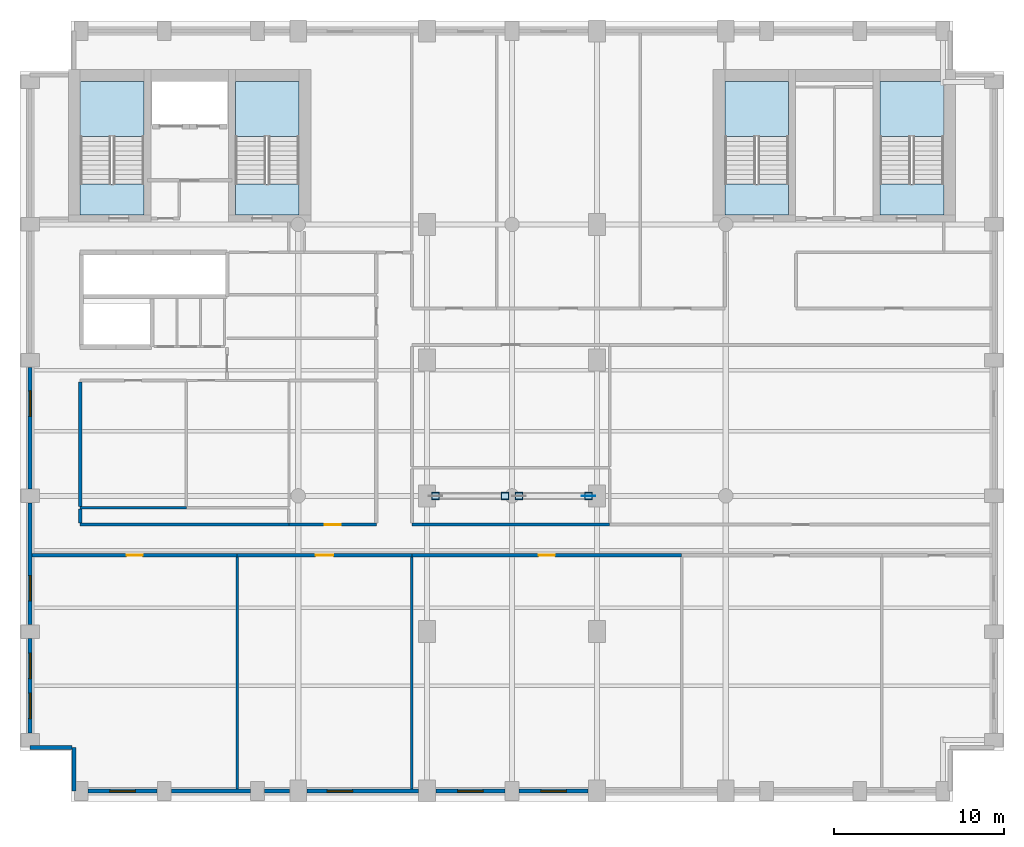
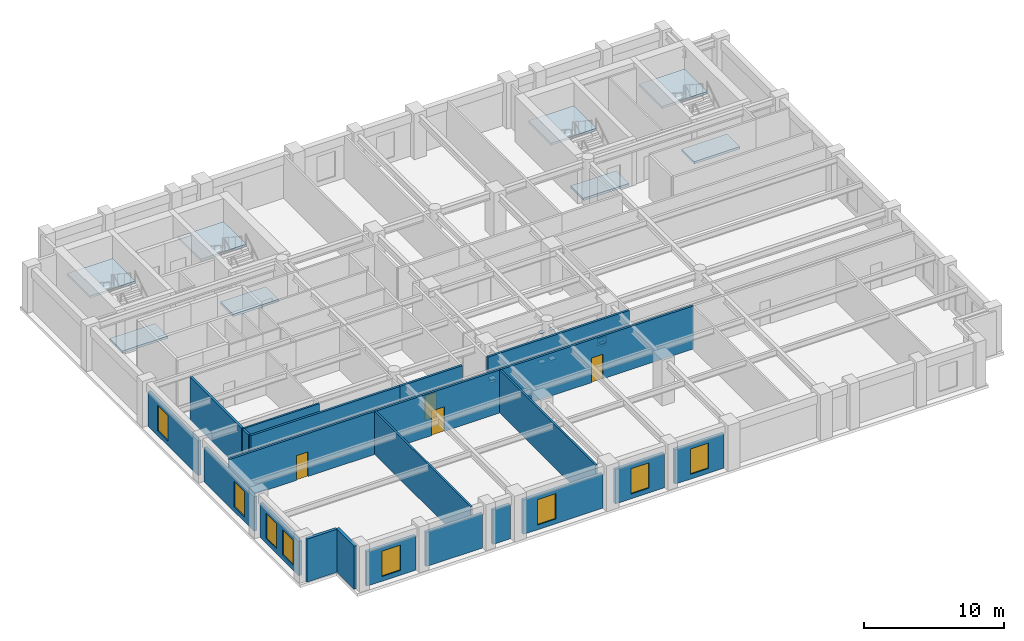
# One storey, part 5 of 11: 22 walls, 9 plates, 8 slabs, 8 windows, 4 doors, 12 openings, 4 elements without a shape of their own.
"""IFC4 building model written with IfcOpenShell, lengths in metres."""

from ifc_helpers import new_model, si_unit, direction, frame, frame_2d, origin, origin_2d, place, context, subcontext, project, spatial, polyline, rectangle, outline, extrude, material, layer, layer_set, type_object, element, fill, aggregate, save


model = new_model("IFC4")

# Units and contexts
model_context = context("Model", 3, precision=1e-05, world=origin(), true_north=direction((0.0, 1.0)))
body_context = subcontext(model_context, "Body", "Model", "MODEL_VIEW")
ifc_project = project(units=[si_unit("LENGTHUNIT", "METRE"), si_unit("AREAUNIT", "SQUARE_METRE"), si_unit("VOLUMEUNIT", "CUBIC_METRE"), si_unit("PLANEANGLEUNIT", "RADIAN"), si_unit("MASSUNIT", "GRAM", prefix="KILO")], contexts=[model_context])

# Site, building, storey
site_placement = place(None, origin())
site = spatial("IfcSite", under=ifc_project, at=site_placement, CompositionType="ELEMENT")
building_placement = place(site_placement, origin())
building = spatial("IfcBuilding", under=site, at=building_placement, Name="Sulina Concourse Tower", CompositionType="ELEMENT")
storey_placement = place(building_placement, frame((0.0, 0.0, 218.60009765625)))
storey = spatial("IfcBuildingStorey", under=building, at=storey_placement, Name="L53", CompositionType="ELEMENT", Elevation=218.60009765625)

# Plates
ifc_material_1 = material(Name="Steel S355", Category="steel")
ifc_layer_1 = layer(ifc_material_1, 0.028076171875)
ifc_layer_set_1 = layer_set([ifc_layer_1], Name="Steel S355")
plate_type_1 = type_object("IfcPlateType", Name="Medium Hollow Section End-Cap Plate 28mm", PredefinedType="USERDEFINED", material=ifc_layer_set_1)
for number, where, z_axis, x_axis, name in (
    (1, (24.489990234375, 18.0, 0.35595703125), (0.0, 0.0, 1.0), (1.0, 0.0, 0.0), "UBT-CH-1-L53 end cap plate 1"),
    (2, (28.5849609375, 18.0, 0.35595703125), (0.0, 0.0, 1.0), (1.0, 0.0, 0.0), "UBT-CH-1-L53 end cap plate 2"),
    (3, (29.4150390625, 18.0, 0.35595703125), (0.0, 0.0, 1.0), (1.0, 0.0, 0.0), "UBT-CH-2-L53 end cap plate 1"),
    (4, (33.510009765625, 18.0, 0.35595703125), (0.0, 0.0, 1.0), (1.0, 0.0, 0.0), "UBT-CH-2-L53 end cap plate 2"),
):
    element("IfcPlate", number, at=place(storey_placement, frame(where, z_axis=z_axis, x_axis=x_axis)), inside=storey, type_object=plate_type_1, Name=name, ObjectType="CAP_PLATE", PredefinedType="USERDEFINED", context=body_context, shape_type="SweptSolid", body=[
        extrude(rectangle(XDim=0.4599609375, YDim=0.4599609375, at=origin_2d()), origin(), (0.0, 0.0, 1.0), 0.028076171875),
    ])

# Slabs
ifc_material_2 = material(Name="Concrete C50/60", Category="concrete")
ifc_layer_2 = layer(ifc_material_2, 0.199951171875)
ifc_layer_set_2 = layer_set([ifc_layer_2], Name="Concrete C50/60")
slab_type = type_object("IfcSlabType", Name="Primary Core Stair Landing Slab 200mm", PredefinedType="LANDING", material=ifc_layer_set_2)
slab_1_placement = place(storey_placement, frame((0.0, 0.0, -0.2001953125)))
element("IfcSlab", 5, at=slab_1_placement, inside=storey, type_object=slab_type, Name="L53 ST-1 floor landing slab", PredefinedType="LANDING", context=body_context, shape_type="SweptSolid", body=[
    extrude(outline(polyline([(7.31005859375, 34.550048828125), (7.31005859375, 36.375), (3.550048828125, 36.375), (3.550048828125, 34.550048828125), (7.31005859375, 34.550048828125)])), origin(), (0.0, 0.0, 1.0), 0.2001953125),
])
slab_2_placement = place(storey_placement, frame((0.0, 0.0, -0.2001953125)))
element("IfcSlab", 6, at=slab_2_placement, inside=storey, type_object=slab_type, Name="L53 ST-2 floor landing slab", PredefinedType="LANDING", context=body_context, shape_type="SweptSolid", body=[
    extrude(outline(polyline([(16.449951171875, 34.550048828125), (16.449951171875, 36.375), (12.68994140625, 36.375), (12.68994140625, 34.550048828125), (16.449951171875, 34.550048828125)])), origin(), (0.0, 0.0, 1.0), 0.2001953125),
])
slab_3_placement = place(storey_placement, frame((0.0, 0.0, -0.2001953125)))
element("IfcSlab", 7, at=slab_3_placement, inside=storey, type_object=slab_type, Name="L53 ST-3 floor landing slab", PredefinedType="LANDING", context=body_context, shape_type="SweptSolid", body=[
    extrude(outline(polyline([(45.31005859375, 34.550048828125), (45.31005859375, 36.375), (41.550048828125, 36.375), (41.550048828125, 34.550048828125), (45.31005859375, 34.550048828125)])), origin(), (0.0, 0.0, 1.0), 0.2001953125),
])
slab_4_placement = place(storey_placement, frame((0.0, 0.0, -0.2001953125)))
element("IfcSlab", 8, at=slab_4_placement, inside=storey, type_object=slab_type, Name="L53 ST-4 floor landing slab", PredefinedType="LANDING", context=body_context, shape_type="SweptSolid", body=[
    extrude(outline(polyline([(54.449951171875, 34.550048828125), (54.449951171875, 36.375), (50.68994140625, 36.375), (50.68994140625, 34.550048828125), (54.449951171875, 34.550048828125)])), origin(), (0.0, 0.0, 1.0), 0.2001953125),
])

# Stair, slab
ifc_material_3 = material(Name="Concrete C50/60", Category="concrete")
stair_type_1 = type_object("IfcStairType", Name="Primary Core Dog-Leg Exit Stair 1800mm", PredefinedType="HALF_TURN_STAIR", material=ifc_material_3)
stair_1_placement = place(storey_placement, origin())
stair_1 = element("IfcStair", 9, at=stair_1_placement, inside=storey, type_object=stair_type_1, Name="L53 ST-1", PredefinedType="HALF_TURN_STAIR")
slab_5_placement = place(storey_placement, frame((0.0, 0.0, 1.7998046875)))
slab_5 = element("IfcSlab", 10, at=slab_5_placement, type_object=slab_type, Name="ST-1 landing 1", PredefinedType="LANDING", context=body_context, shape_type="SweptSolid", body=[
    extrude(outline(polyline([(7.304931640625, 39.175048828125), (7.304931640625, 42.425048828125), (3.554931640625, 42.425048828125), (3.554931640625, 39.175048828125), (7.304931640625, 39.175048828125)])), origin(), (0.0, 0.0, 1.0), 0.2001953125),
])
aggregate(stair_1, [slab_5])

stair_2_placement = place(storey_placement, origin())
stair_2 = element("IfcStair", 11, at=stair_2_placement, inside=storey, type_object=stair_type_1, Name="L53 ST-2", PredefinedType="HALF_TURN_STAIR")
slab_6_placement = place(storey_placement, frame((0.0, 0.0, 1.7998046875)))
slab_6 = element("IfcSlab", 12, at=slab_6_placement, type_object=slab_type, Name="ST-2 landing 1", PredefinedType="LANDING", context=body_context, shape_type="SweptSolid", body=[
    extrude(outline(polyline([(16.445068359375, 39.175048828125), (16.445068359375, 42.425048828125), (12.695068359375, 42.425048828125), (12.695068359375, 39.175048828125), (16.445068359375, 39.175048828125)])), origin(), (0.0, 0.0, 1.0), 0.2001953125),
])
aggregate(stair_2, [slab_6])

ifc_material_4 = material(Name="Concrete C50/60", Category="concrete")
stair_type_2 = type_object("IfcStairType", Name="Portal & Podium Core Exit Stair 1820mm", PredefinedType="HALF_TURN_STAIR", material=ifc_material_4)
stair_3_placement = place(storey_placement, origin())
stair_3 = element("IfcStair", 13, at=stair_3_placement, inside=storey, type_object=stair_type_2, Name="L53 ST-3", PredefinedType="HALF_TURN_STAIR")
slab_7_placement = place(storey_placement, frame((0.0, 0.0, 1.7998046875)))
slab_7 = element("IfcSlab", 14, at=slab_7_placement, type_object=slab_type, Name="ST-3 landing 1", PredefinedType="LANDING", context=body_context, shape_type="SweptSolid", body=[
    extrude(outline(polyline([(45.304931640625, 39.175048828125), (45.304931640625, 42.425048828125), (41.554931640625, 42.425048828125), (41.554931640625, 39.175048828125), (45.304931640625, 39.175048828125)])), origin(), (0.0, 0.0, 1.0), 0.2001953125),
])
aggregate(stair_3, [slab_7])

stair_4_placement = place(storey_placement, origin())
stair_4 = element("IfcStair", 15, at=stair_4_placement, inside=storey, type_object=stair_type_2, Name="L53 ST-4", PredefinedType="HALF_TURN_STAIR")
slab_8_placement = place(storey_placement, frame((0.0, 0.0, 1.7998046875)))
slab_8 = element("IfcSlab", 16, at=slab_8_placement, type_object=slab_type, Name="ST-4 landing 1", PredefinedType="LANDING", context=body_context, shape_type="SweptSolid", body=[
    extrude(outline(polyline([(54.445068359375, 39.175048828125), (54.445068359375, 42.425048828125), (50.695068359375, 42.425048828125), (50.695068359375, 39.175048828125), (54.445068359375, 39.175048828125)])), origin(), (0.0, 0.0, 1.0), 0.2001953125),
])
aggregate(stair_4, [slab_8])

# Plates
ifc_material_5 = material(Name="Steel S355", Category="steel")
ifc_layer_3 = layer(ifc_material_5, 0.0400390625)
ifc_layer_set_3 = layer_set([ifc_layer_3], Name="Steel S355")
plate_type_2 = type_object("IfcPlateType", Name="Upper Bridge Node Gusset Plate 40mm", PredefinedType="USERDEFINED", material=ifc_layer_set_3)
plate_placement = place(storey_placement, frame((33.510009765625, 18.0, 0.094970703125), z_axis=(0.0, 0.0, 1.0), x_axis=(1.0, 0.0, 0.0)))
element("IfcPlate", 17, at=plate_placement, inside=storey, type_object=plate_type_2, Name="UBT-DG-2-L53 node gusset plate", ObjectType="GUSSET_PLATE", PredefinedType="USERDEFINED", context=body_context, shape_type="SweptSolid", body=[
    extrude(rectangle(XDim=0.800048828125, YDim=0.0400390625, at=origin_2d()), origin(), (0.0, 0.0, 1.0), 0.64990234375),
])
ifc_material_6 = material(Name="Steel S355", Category="steel")
ifc_layer_4 = layer(ifc_material_6, 0.02001953125)
ifc_layer_set_4 = layer_set([ifc_layer_4], Name="Steel S355")
plate_type_3 = type_object("IfcPlateType", Name="Upper Hollow Brace End-Cap Plate 20mm", PredefinedType="USERDEFINED", material=ifc_layer_set_4)
for number, where, z_axis, x_axis, name in (
    (18, (24.489990234375, 18.0, 0.10986328125), (0.0, 0.0, 1.0), (1.0, 0.0, 0.0), "UBT-DG-1-L53 end cap plate 1"),
    (19, (28.5849609375, 18.0, 2.949951171875), (0.0, 0.0, 1.0), (1.0, 0.0, 0.0), "UBT-DG-1-L53 end cap plate 2"),
    (20, (33.510009765625, 18.0, 0.10986328125), (0.0, 0.0, 1.0), (1.0, 0.0, 0.0), "UBT-DG-2-L53 end cap plate 1"),
    (21, (29.4150390625, 18.0, 2.949951171875), (0.0, 0.0, 1.0), (1.0, 0.0, 0.0), "UBT-DG-2-L53 end cap plate 2"),
):
    element("IfcPlate", number, at=place(storey_placement, frame(where, z_axis=z_axis, x_axis=x_axis)), inside=storey, type_object=plate_type_3, Name=name, ObjectType="CAP_PLATE", PredefinedType="USERDEFINED", context=body_context, shape_type="SweptSolid", body=[
        extrude(rectangle(XDim=0.409912109375, YDim=0.360107421875, at=origin_2d()), origin(), (0.0, 0.0, 1.0), 0.02001953125),
    ])

# Wall, opening, window
ifc_material_7 = material(Name="Precast concrete C50/60", Category="concrete")
ifc_layer_5 = layer(ifc_material_7, 0.239990234375)
ifc_layer_set_5 = layer_set([ifc_layer_5], Name="Precast concrete C50/60")
wall_type_1 = type_object("IfcWallType", Name="Crown Precast Masonry-Frame Facade Wall 240mm", PredefinedType="SOLIDWALL", material=ifc_layer_set_5)
wall_1_placement = place(storey_placement, frame((8.080078125, 0.60009765625, 0.0), z_axis=(0.0, 0.0, 1.0), x_axis=(-1.0, 0.0, 0.0)))
wall_1 = element("IfcWall", 22, at=wall_1_placement, inside=storey, type_object=wall_type_1, Name="L53 exterior precast wall S1", PredefinedType="SOLIDWALL", context=body_context, shape_type="SweptSolid", body=[
    extrude(rectangle(XDim=4.06005859375, YDim=0.239990234375, at=frame_2d((2.030029296875, 0.0))), origin(), (0.0, 0.0, 1.0), 3.0),
])
opening_1_placement = place(wall_1_placement, frame((1.280029296875, 0.0, 0.419921875)))
opening_1 = element("IfcOpeningElement", 23, at=opening_1_placement, cuts=wall_1, Name="Opening WN-71", PredefinedType="OPENING", context=body_context, shape_type="SweptSolid", body=[
    extrude(rectangle(XDim=1.5, YDim=2.199951171875, at=frame_2d((0.75, 1.10009765625))), frame((0.0, 0.1298828125, 0.0), z_axis=(0.0, -1.0, 0.0), x_axis=(1.0, 0.0, 0.0)), (0.0, 0.0, 1.0), 0.260009765625),
])
ifc_material_8 = material(Name="Low-E solar double glazing in bronze aluminium", Category="aluminium")
window_type = type_object("IfcWindowType", Name="Punched Masonry-Frame Window 1500x2200", PartitioningType="SINGLE_PANEL", PredefinedType="WINDOW", material=ifc_material_8)
window_1_placement = place(opening_1_placement, origin())
window_1 = element("IfcWindow", 24, at=window_1_placement, inside=storey, type_object=window_type, Name="L53 punched window S1-1", OverallHeight=2.199951171875, OverallWidth=1.5, PartitioningType="SINGLE_PANEL", PredefinedType="WINDOW", context=body_context, shape_type="SweptSolid", body=[
    extrude(rectangle(XDim=1.5, YDim=2.199951171875, at=frame_2d((0.75, 1.10009765625))), frame((0.0, 0.030029296875, 0.0), z_axis=(0.0, -1.0, 0.0), x_axis=(1.0, 0.0, 0.0)), (0.0, 0.0, 1.0), 0.06005859375),
])
fill(opening_1, window_1)

# Walls
wall_2_placement = place(storey_placement, frame((13.580078125, 0.60009765625, 0.0), z_axis=(0.0, 0.0, 1.0), x_axis=(-1.0, 0.0, 0.0)))
element("IfcWall", 25, at=wall_2_placement, inside=storey, type_object=wall_type_1, Name="L53 exterior precast wall S2", PredefinedType="SOLIDWALL", context=body_context, shape_type="SweptSolid", body=[
    extrude(rectangle(XDim=4.66015625, YDim=0.239990234375, at=frame_2d((2.330078125, 0.0))), origin(), (0.0, 0.0, 1.0), 3.0),
])
wall_3_placement = place(storey_placement, frame((15.8798828125, 0.60009765625, 0.0), z_axis=(0.0, 0.0, 1.0), x_axis=(-1.0, 0.0, 0.0)))
element("IfcWall", 26, at=wall_3_placement, inside=storey, type_object=wall_type_1, Name="L53 exterior precast wall S3", PredefinedType="SOLIDWALL", context=body_context, shape_type="SweptSolid", body=[
    extrude(rectangle(XDim=1.4599609375, YDim=0.239990234375, at=frame_2d((0.72998046875, 0.0))), origin(), (0.0, 0.0, 1.0), 3.0),
])

# Wall, opening, window
wall_4_placement = place(storey_placement, frame((23.47998046875, 0.60009765625, 0.0), z_axis=(0.0, 0.0, 1.0), x_axis=(-1.0, 0.0, 0.0)))
wall_4 = element("IfcWall", 27, at=wall_4_placement, inside=storey, type_object=wall_type_1, Name="L53 exterior precast wall S4", PredefinedType="SOLIDWALL", context=body_context, shape_type="SweptSolid", body=[
    extrude(rectangle(XDim=6.56005859375, YDim=0.239990234375, at=frame_2d((3.280029296875, 0.0))), origin(), (0.0, 0.0, 1.0), 3.0),
])
opening_2_placement = place(wall_4_placement, frame((3.873291015625, 0.0, 0.419921875)))
opening_2 = element("IfcOpeningElement", 28, at=opening_2_placement, cuts=wall_4, Name="Opening WN-71", PredefinedType="OPENING", context=body_context, shape_type="SweptSolid", body=[
    extrude(rectangle(XDim=1.5, YDim=2.199951171875, at=frame_2d((0.75, 1.10009765625))), frame((0.0, 0.1298828125, 0.0), z_axis=(0.0, -1.0, 0.0), x_axis=(1.0, 0.0, 0.0)), (0.0, 0.0, 1.0), 0.260009765625),
])
window_2_placement = place(opening_2_placement, origin())
window_2 = element("IfcWindow", 29, at=window_2_placement, inside=storey, type_object=window_type, Name="L53 punched window S4-1", OverallHeight=2.199951171875, OverallWidth=1.5, PartitioningType="SINGLE_PANEL", PredefinedType="WINDOW", context=body_context, shape_type="SweptSolid", body=[
    extrude(rectangle(XDim=1.5, YDim=2.199951171875, at=frame_2d((0.75, 1.10009765625))), frame((0.0, 0.030029296875, 0.0), z_axis=(0.0, -1.0, 0.0), x_axis=(1.0, 0.0, 0.0)), (0.0, 0.0, 1.0), 0.06005859375),
])
fill(opening_2, window_2)

wall_5_placement = place(storey_placement, frame((28.580078125, 0.60009765625, 0.0), z_axis=(0.0, 0.0, 1.0), x_axis=(-1.0, 0.0, 0.0)))
wall_5 = element("IfcWall", 30, at=wall_5_placement, inside=storey, type_object=wall_type_1, Name="L53 exterior precast wall S5", PredefinedType="SOLIDWALL", context=body_context, shape_type="SweptSolid", body=[
    extrude(rectangle(XDim=4.06005859375, YDim=0.239990234375, at=frame_2d((2.030029296875, 0.0))), origin(), (0.0, 0.0, 1.0), 3.0),
])
opening_3_placement = place(wall_5_placement, frame((1.280029296875, 0.0, 0.419921875)))
opening_3 = element("IfcOpeningElement", 31, at=opening_3_placement, cuts=wall_5, Name="Opening WN-71", PredefinedType="OPENING", context=body_context, shape_type="SweptSolid", body=[
    extrude(rectangle(XDim=1.5, YDim=2.199951171875, at=frame_2d((0.75, 1.10009765625))), frame((0.0, 0.1298828125, 0.0), z_axis=(0.0, -1.0, 0.0), x_axis=(1.0, 0.0, 0.0)), (0.0, 0.0, 1.0), 0.260009765625),
])
window_3_placement = place(opening_3_placement, origin())
window_3 = element("IfcWindow", 32, at=window_3_placement, inside=storey, type_object=window_type, Name="L53 punched window S5-1", OverallHeight=2.199951171875, OverallWidth=1.5, PartitioningType="SINGLE_PANEL", PredefinedType="WINDOW", context=body_context, shape_type="SweptSolid", body=[
    extrude(rectangle(XDim=1.5, YDim=2.199951171875, at=frame_2d((0.75, 1.10009765625))), frame((0.0, 0.030029296875, 0.0), z_axis=(0.0, -1.0, 0.0), x_axis=(1.0, 0.0, 0.0)), (0.0, 0.0, 1.0), 0.06005859375),
])
fill(opening_3, window_3)

wall_6_placement = place(storey_placement, frame((33.47998046875, 0.60009765625, 0.0), z_axis=(0.0, 0.0, 1.0), x_axis=(-1.0, 0.0, 0.0)))
wall_6 = element("IfcWall", 33, at=wall_6_placement, inside=storey, type_object=wall_type_1, Name="L53 exterior precast wall S6", PredefinedType="SOLIDWALL", context=body_context, shape_type="SweptSolid", body=[
    extrude(rectangle(XDim=4.06005859375, YDim=0.239990234375, at=frame_2d((2.030029296875, 0.0))), origin(), (0.0, 0.0, 1.0), 3.0),
])
opening_4_placement = place(wall_6_placement, frame((1.280029296875, 0.0, 0.419921875)))
opening_4 = element("IfcOpeningElement", 34, at=opening_4_placement, cuts=wall_6, Name="Opening WN-71", PredefinedType="OPENING", context=body_context, shape_type="SweptSolid", body=[
    extrude(rectangle(XDim=1.5, YDim=2.199951171875, at=frame_2d((0.75, 1.10009765625))), frame((0.0, 0.1298828125, 0.0), z_axis=(0.0, -1.0, 0.0), x_axis=(1.0, 0.0, 0.0)), (0.0, 0.0, 1.0), 0.260009765625),
])
window_4_placement = place(opening_4_placement, origin())
window_4 = element("IfcWindow", 35, at=window_4_placement, inside=storey, type_object=window_type, Name="L53 punched window S6-1", OverallHeight=2.199951171875, OverallWidth=1.5, PartitioningType="SINGLE_PANEL", PredefinedType="WINDOW", context=body_context, shape_type="SweptSolid", body=[
    extrude(rectangle(XDim=1.5, YDim=2.199951171875, at=frame_2d((0.75, 1.10009765625))), frame((0.0, 0.030029296875, 0.0), z_axis=(0.0, -1.0, 0.0), x_axis=(1.0, 0.0, 0.0)), (0.0, 0.0, 1.0), 0.06005859375),
])
fill(opening_4, window_4)

# Wall, openings, windows
wall_7_placement = place(storey_placement, frame((0.60009765625, 4.02001953125, 0.0), z_axis=(0.0, 0.0, 1.0), x_axis=(0.0, 1.0, 0.0)))
wall_7 = element("IfcWall", 36, at=wall_7_placement, inside=storey, type_object=wall_type_1, Name="L53 exterior precast wall W1", PredefinedType="SOLIDWALL", context=body_context, shape_type="SweptSolid", body=[
    extrude(rectangle(XDim=5.56005859375, YDim=0.239990234375, at=frame_2d((2.780029296875, 0.0))), origin(), (0.0, 0.0, 1.0), 3.0),
])
opening_5_placement = place(wall_7_placement, frame((0.853271484375, 0.0, 0.419921875)))
opening_5 = element("IfcOpeningElement", 37, at=opening_5_placement, cuts=wall_7, Name="Opening WN-71", PredefinedType="OPENING", context=body_context, shape_type="SweptSolid", body=[
    extrude(rectangle(XDim=1.5, YDim=2.199951171875, at=frame_2d((0.75, 1.10009765625))), frame((0.0, 0.1298828125, 0.0), z_axis=(0.0, -1.0, 0.0), x_axis=(1.0, 0.0, 0.0)), (0.0, 0.0, 1.0), 0.260009765625),
])
opening_6_placement = place(wall_7_placement, frame((3.206787109375, 0.0, 0.419921875)))
opening_6 = element("IfcOpeningElement", 38, at=opening_6_placement, cuts=wall_7, Name="Opening WN-71", PredefinedType="OPENING", context=body_context, shape_type="SweptSolid", body=[
    extrude(rectangle(XDim=1.5, YDim=2.199951171875, at=frame_2d((0.75, 1.10009765625))), frame((0.0, 0.1298828125, 0.0), z_axis=(0.0, -1.0, 0.0), x_axis=(1.0, 0.0, 0.0)), (0.0, 0.0, 1.0), 0.260009765625),
])
window_5_placement = place(opening_5_placement, origin())
window_5 = element("IfcWindow", 39, at=window_5_placement, inside=storey, type_object=window_type, Name="L53 punched window W1-1", OverallHeight=2.199951171875, OverallWidth=1.5, PartitioningType="SINGLE_PANEL", PredefinedType="WINDOW", context=body_context, shape_type="SweptSolid", body=[
    extrude(rectangle(XDim=1.5, YDim=2.199951171875, at=frame_2d((0.75, 1.10009765625))), frame((0.0, 0.030029296875, 0.0), z_axis=(0.0, -1.0, 0.0), x_axis=(1.0, 0.0, 0.0)), (0.0, 0.0, 1.0), 0.06005859375),
])
fill(opening_5, window_5)
window_6_placement = place(opening_6_placement, origin())
window_6 = element("IfcWindow", 40, at=window_6_placement, inside=storey, type_object=window_type, Name="L53 punched window W1-2", OverallHeight=2.199951171875, OverallWidth=1.5, PartitioningType="SINGLE_PANEL", PredefinedType="WINDOW", context=body_context, shape_type="SweptSolid", body=[
    extrude(rectangle(XDim=1.5, YDim=2.199951171875, at=frame_2d((0.75, 1.10009765625))), frame((0.0, 0.030029296875, 0.0), z_axis=(0.0, -1.0, 0.0), x_axis=(1.0, 0.0, 0.0)), (0.0, 0.0, 1.0), 0.06005859375),
])
fill(opening_6, window_6)

# Wall, opening, window
wall_8_placement = place(storey_placement, frame((0.60009765625, 10.419921875, 0.0), z_axis=(0.0, 0.0, 1.0), x_axis=(0.0, 1.0, 0.0)))
wall_8 = element("IfcWall", 41, at=wall_8_placement, inside=storey, type_object=wall_type_1, Name="L53 exterior precast wall W2", PredefinedType="SOLIDWALL", context=body_context, shape_type="SweptSolid", body=[
    extrude(rectangle(XDim=7.16015625, YDim=0.239990234375, at=frame_2d((3.580078125, 0.0))), origin(), (0.0, 0.0, 1.0), 3.0),
])
opening_7_placement = place(wall_8_placement, frame((1.38671875, 0.0, 0.419921875)))
opening_7 = element("IfcOpeningElement", 42, at=opening_7_placement, cuts=wall_8, Name="Opening WN-71", PredefinedType="OPENING", context=body_context, shape_type="SweptSolid", body=[
    extrude(rectangle(XDim=1.5, YDim=2.199951171875, at=frame_2d((0.75, 1.10009765625))), frame((0.0, 0.1298828125, 0.0), z_axis=(0.0, -1.0, 0.0), x_axis=(1.0, 0.0, 0.0)), (0.0, 0.0, 1.0), 0.260009765625),
])
window_7_placement = place(opening_7_placement, origin())
window_7 = element("IfcWindow", 43, at=window_7_placement, inside=storey, type_object=window_type, Name="L53 punched window W2-1", OverallHeight=2.199951171875, OverallWidth=1.5, PartitioningType="SINGLE_PANEL", PredefinedType="WINDOW", context=body_context, shape_type="SweptSolid", body=[
    extrude(rectangle(XDim=1.5, YDim=2.199951171875, at=frame_2d((0.75, 1.10009765625))), frame((0.0, 0.030029296875, 0.0), z_axis=(0.0, -1.0, 0.0), x_axis=(1.0, 0.0, 0.0)), (0.0, 0.0, 1.0), 0.06005859375),
])
fill(opening_7, window_7)

wall_9_placement = place(storey_placement, frame((0.60009765625, 18.419921875, 0.0), z_axis=(0.0, 0.0, 1.0), x_axis=(0.0, 1.0, 0.0)))
wall_9 = element("IfcWall", 44, at=wall_9_placement, inside=storey, type_object=wall_type_1, Name="L53 exterior precast wall W3", PredefinedType="SOLIDWALL", context=body_context, shape_type="SweptSolid", body=[
    extrude(rectangle(XDim=7.16015625, YDim=0.239990234375, at=frame_2d((3.580078125, 0.0))), origin(), (0.0, 0.0, 1.0), 3.0),
])
opening_8_placement = place(wall_9_placement, frame((4.273193359375, 0.0, 0.419921875)))
opening_8 = element("IfcOpeningElement", 45, at=opening_8_placement, cuts=wall_9, Name="Opening WN-71", PredefinedType="OPENING", context=body_context, shape_type="SweptSolid", body=[
    extrude(rectangle(XDim=1.5, YDim=2.199951171875, at=frame_2d((0.75, 1.10009765625))), frame((0.0, 0.1298828125, 0.0), z_axis=(0.0, -1.0, 0.0), x_axis=(1.0, 0.0, 0.0)), (0.0, 0.0, 1.0), 0.260009765625),
])
window_8_placement = place(opening_8_placement, origin())
window_8 = element("IfcWindow", 46, at=window_8_placement, inside=storey, type_object=window_type, Name="L53 punched window W3-1", OverallHeight=2.199951171875, OverallWidth=1.5, PartitioningType="SINGLE_PANEL", PredefinedType="WINDOW", context=body_context, shape_type="SweptSolid", body=[
    extrude(rectangle(XDim=1.5, YDim=2.199951171875, at=frame_2d((0.75, 1.10009765625))), frame((0.0, 0.030029296875, 0.0), z_axis=(0.0, -1.0, 0.0), x_axis=(1.0, 0.0, 0.0)), (0.0, 0.0, 1.0), 0.06005859375),
])
fill(opening_8, window_8)

# Walls
wall_10_placement = place(storey_placement, frame((3.179931640625, 0.60009765625, 0.0), z_axis=(0.0, 0.0, 1.0), x_axis=(0.0, 1.0, 0.0)))
element("IfcWall", 47, at=wall_10_placement, inside=storey, type_object=wall_type_1, Name="L53 exterior precast wall CSW1", PredefinedType="SOLIDWALL", context=body_context, shape_type="SweptSolid", body=[
    extrude(rectangle(XDim=2.579833984375, YDim=0.239990234375, at=frame_2d((1.2900390625, 0.0))), origin(), (0.0, 0.0, 1.0), 3.75),
])
wall_11_placement = place(storey_placement, frame((3.054931640625, 3.179931640625, 0.0), z_axis=(0.0, 0.0, 1.0), x_axis=(-1.0, 0.0, 0.0)))
element("IfcWall", 48, at=wall_11_placement, inside=storey, type_object=wall_type_1, Name="L53 exterior precast wall CSW2", PredefinedType="SOLIDWALL", context=body_context, shape_type="SweptSolid", body=[
    extrude(rectangle(XDim=2.454833984375, YDim=0.239990234375, at=frame_2d((1.2275390625, 0.0))), origin(), (0.0, 0.0, 1.0), 3.75),
])
ifc_material_9 = material(Name="Gypsum board on steel stud", Category="steel")
ifc_layer_6 = layer(ifc_material_9, 0.14990234375)
ifc_layer_set_6 = layer_set([ifc_layer_6], Name="Gypsum board on steel stud")
wall_type_2 = type_object("IfcWallType", Name="Inter-Tenancy Acoustic Partition 150mm", PredefinedType="PARTITIONING", material=ifc_layer_set_6)
wall_12_placement = place(storey_placement, frame((3.550048828125, 17.300048828125, 0.0), z_axis=(0.0, 0.0, 1.0), x_axis=(1.0, 0.0, 0.0)))
element("IfcWall", 49, at=wall_12_placement, inside=storey, type_object=wall_type_2, Name="L53 interior partition 010", PredefinedType="PARTITIONING", context=body_context, shape_type="SweptSolid", body=[
    extrude(rectangle(XDim=6.25, YDim=0.14990234375, at=frame_2d((3.125, 0.0))), origin(), (0.0, 0.0, 1.0), 3.75),
])
for number, where, z_axis, x_axis, name in (
    (50, (12.800048828125, 0.719970703125, 0.0), (0.0, 0.0, 1.0), (0.0, 1.0, 0.0), "L53 interior partition 046"),
    (51, (23.10009765625, 0.719970703125, 0.0), (0.0, 0.0, 1.0), (0.0, 1.0, 0.0), "L53 interior partition 055"),
):
    element("IfcWall", number, at=place(storey_placement, frame(where, z_axis=z_axis, x_axis=x_axis)), inside=storey, type_object=wall_type_2, Name=name, PredefinedType="PARTITIONING", context=body_context, shape_type="SweptSolid", body=[
        extrude(rectangle(XDim=13.68994140625, YDim=0.14990234375, at=frame_2d((6.844970703125, 0.0))), origin(), (0.0, 0.0, 1.0), 3.75),
    ])

# Wall, opening, door
ifc_material_10 = material(Name="Gypsum board on steel stud", Category="steel")
ifc_layer_7 = layer(ifc_material_10, 0.179931640625)
ifc_layer_set_7 = layer_set([ifc_layer_7], Name="Gypsum board on steel stud")
wall_type_3 = type_object("IfcWallType", Name="Protected Corridor & Riser Partition 180mm", PredefinedType="PARTITIONING", material=ifc_layer_set_7)
wall_13_placement = place(storey_placement, frame((0.719970703125, 14.5, 0.0), z_axis=(0.0, 0.0, 1.0), x_axis=(1.0, 0.0, 0.0)))
wall_13 = element("IfcWall", 52, at=wall_13_placement, inside=storey, type_object=wall_type_3, Name="L53 interior partition 001", PredefinedType="PARTITIONING", context=body_context, shape_type="SweptSolid", body=[
    extrude(rectangle(XDim=12.080078125, YDim=0.179931640625, at=frame_2d((6.0400390625, 0.0))), origin(), (0.0, 0.0, 1.0), 3.75),
])
opening_9_placement = place(wall_13_placement, frame((5.56494140625, 0.0, 0.0)))
opening_9 = element("IfcOpeningElement", 53, at=opening_9_placement, cuts=wall_13, Name="Opening DR-19", PredefinedType="OPENING", context=body_context, shape_type="SweptSolid", body=[
    extrude(rectangle(XDim=0.949951171875, YDim=2.14990234375, at=frame_2d((0.47509765625, 1.074951171875))), frame((0.0, 0.099853515625, 0.0), z_axis=(0.0, -1.0, 0.0), x_axis=(1.0, 0.0, 0.0)), (0.0, 0.0, 1.0), 0.199951171875),
])
ifc_material_11 = material(Name="Oak-veneered acoustic timber leaf", Category="wood")
ifc_layer_8 = layer(ifc_material_11, 0.050048828125)
ifc_layer_set_8 = layer_set([ifc_layer_8], Name="Oak-veneered acoustic timber leaf")
door_type_1 = type_object("IfcDoorType", Name="Cellular Office & Meeting Door 950x2150", OperationType="NOTDEFINED", PredefinedType="DOOR", material=ifc_layer_set_8)
door_1_placement = place(opening_9_placement, origin())
door_1 = element("IfcDoor", 54, at=door_1_placement, inside=storey, type_object=door_type_1, Name="L53 interior door L53-S01", OperationType="SINGLE_SWING_LEFT", OverallHeight=2.14990234375, OverallWidth=0.949951171875, PredefinedType="DOOR", context=body_context, shape_type="SweptSolid", body=[
    extrude(rectangle(XDim=0.949951171875, YDim=2.14990234375, at=frame_2d((0.47509765625, 1.074951171875))), frame((0.0, 0.02490234375, 0.0), z_axis=(0.0, -1.0, 0.0), x_axis=(1.0, 0.0, 0.0)), (0.0, 0.0, 1.0), 0.050048828125),
])
fill(opening_9, door_1)

wall_14_placement = place(storey_placement, frame((12.800048828125, 14.5, 0.0), z_axis=(0.0, 0.0, 1.0), x_axis=(1.0, 0.0, 0.0)))
wall_14 = element("IfcWall", 55, at=wall_14_placement, inside=storey, type_object=wall_type_3, Name="L53 interior partition 002", PredefinedType="PARTITIONING", context=body_context, shape_type="SweptSolid", body=[
    extrude(rectangle(XDim=10.300048828125, YDim=0.179931640625, at=frame_2d((5.14990234375, 0.0))), origin(), (0.0, 0.0, 1.0), 3.75),
])
opening_10_placement = place(wall_14_placement, frame((4.625, 0.0, 0.0)))
opening_10 = element("IfcOpeningElement", 56, at=opening_10_placement, cuts=wall_14, Name="Opening DR-37", PredefinedType="OPENING", context=body_context, shape_type="SweptSolid", body=[
    extrude(rectangle(XDim=1.050048828125, YDim=2.14990234375, at=frame_2d((0.52490234375, 1.074951171875))), frame((0.0, 0.099853515625, 0.0), z_axis=(0.0, -1.0, 0.0), x_axis=(1.0, 0.0, 0.0)), (0.0, 0.0, 1.0), 0.199951171875),
])
ifc_material_12 = material(Name="Oak-veneered fire door leaf")
ifc_layer_9 = layer(ifc_material_12, 0.050048828125)
ifc_layer_set_9 = layer_set([ifc_layer_9], Name="Oak-veneered fire door leaf")
door_type_2 = type_object("IfcDoorType", Name="Tenant Suite Entrance Fire Door 1050x2150", OperationType="NOTDEFINED", PredefinedType="DOOR", material=ifc_layer_set_9)
door_2_placement = place(opening_10_placement, origin())
door_2 = element("IfcDoor", 57, at=door_2_placement, inside=storey, type_object=door_type_2, Name="L53 interior door L53-S02", OperationType="SINGLE_SWING_RIGHT", OverallHeight=2.14990234375, OverallWidth=1.050048828125, PredefinedType="DOOR", context=body_context, shape_type="SweptSolid", body=[
    extrude(rectangle(XDim=1.050048828125, YDim=2.14990234375, at=frame_2d((0.52490234375, 1.074951171875))), frame((0.0, 0.02490234375, 0.0), z_axis=(0.0, -1.0, 0.0), x_axis=(1.0, 0.0, 0.0)), (0.0, 0.0, 1.0), 0.050048828125),
])
fill(opening_10, door_2)

wall_15_placement = place(storey_placement, frame((23.10009765625, 14.5, 0.0), z_axis=(0.0, 0.0, 1.0), x_axis=(1.0, 0.0, 0.0)))
wall_15 = element("IfcWall", 58, at=wall_15_placement, inside=storey, type_object=wall_type_3, Name="L53 interior partition 003", PredefinedType="PARTITIONING", context=body_context, shape_type="SweptSolid", body=[
    extrude(rectangle(XDim=15.89990234375, YDim=0.179931640625, at=frame_2d((7.949951171875, 0.0))), origin(), (0.0, 0.0, 1.0), 3.75),
])
opening_11_placement = place(wall_15_placement, frame((7.47509765625, 0.0, 0.0)))
opening_11 = element("IfcOpeningElement", 59, at=opening_11_placement, cuts=wall_15, Name="Opening DR-19", PredefinedType="OPENING", context=body_context, shape_type="SweptSolid", body=[
    extrude(rectangle(XDim=0.949951171875, YDim=2.14990234375, at=frame_2d((0.47509765625, 1.074951171875))), frame((0.0, 0.099853515625, 0.0), z_axis=(0.0, -1.0, 0.0), x_axis=(1.0, 0.0, 0.0)), (0.0, 0.0, 1.0), 0.199951171875),
])
door_3_placement = place(opening_11_placement, origin())
door_3 = element("IfcDoor", 60, at=door_3_placement, inside=storey, type_object=door_type_1, Name="L53 interior door L53-S03", OperationType="SINGLE_SWING_LEFT", OverallHeight=2.14990234375, OverallWidth=0.949951171875, PredefinedType="DOOR", context=body_context, shape_type="SweptSolid", body=[
    extrude(rectangle(XDim=0.949951171875, YDim=2.14990234375, at=frame_2d((0.47509765625, 1.074951171875))), frame((0.0, 0.02490234375, 0.0), z_axis=(0.0, -1.0, 0.0), x_axis=(1.0, 0.0, 0.0)), (0.0, 0.0, 1.0), 0.050048828125),
])
fill(opening_11, door_3)

# Wall
wall_16_placement = place(storey_placement, frame((3.550048828125, 16.300048828125, 0.0), z_axis=(0.0, 0.0, 1.0), x_axis=(1.0, 0.0, 0.0)))
element("IfcWall", 61, at=wall_16_placement, inside=storey, type_object=wall_type_3, Name="L53 interior partition 006", PredefinedType="PARTITIONING", context=body_context, shape_type="SweptSolid", body=[
    extrude(rectangle(XDim=12.300048828125, YDim=0.179931640625, at=frame_2d((6.14990234375, 0.0))), origin(), (0.0, 0.0, 1.0), 3.75),
])

# Wall, opening, door
wall_17_placement = place(storey_placement, frame((15.85009765625, 16.300048828125, 0.0), z_axis=(0.0, 0.0, 1.0), x_axis=(1.0, 0.0, 0.0)))
wall_17 = element("IfcWall", 62, at=wall_17_placement, inside=storey, type_object=wall_type_3, Name="L53 interior partition 007", PredefinedType="PARTITIONING", context=body_context, shape_type="SweptSolid", body=[
    extrude(rectangle(XDim=5.14990234375, YDim=0.179931640625, at=frame_2d((2.574951171875, 0.0))), origin(), (0.0, 0.0, 1.0), 3.75),
])
opening_12_placement = place(wall_17_placement, frame((2.10009765625, 0.0, 0.0)))
opening_12 = element("IfcOpeningElement", 63, at=opening_12_placement, cuts=wall_17, Name="Opening DR-19", PredefinedType="OPENING", context=body_context, shape_type="SweptSolid", body=[
    extrude(rectangle(XDim=0.949951171875, YDim=2.14990234375, at=frame_2d((0.47509765625, 1.074951171875))), frame((0.0, 0.099853515625, 0.0), z_axis=(0.0, -1.0, 0.0), x_axis=(1.0, 0.0, 0.0)), (0.0, 0.0, 1.0), 0.199951171875),
])
door_4_placement = place(opening_12_placement, origin())
door_4 = element("IfcDoor", 64, at=door_4_placement, inside=storey, type_object=door_type_1, Name="L53 interior door L53-NZ-PKW", OperationType="SINGLE_SWING_RIGHT", OverallHeight=2.14990234375, OverallWidth=0.949951171875, PredefinedType="DOOR", context=body_context, shape_type="SweptSolid", body=[
    extrude(rectangle(XDim=0.949951171875, YDim=2.14990234375, at=frame_2d((0.47509765625, 1.074951171875))), frame((0.0, 0.02490234375, 0.0), z_axis=(0.0, -1.0, 0.0), x_axis=(1.0, 0.0, 0.0)), (0.0, 0.0, 1.0), 0.050048828125),
])
fill(opening_12, door_4)

# Walls
wall_18_placement = place(storey_placement, frame((23.10009765625, 16.300048828125, 0.0), z_axis=(0.0, 0.0, 1.0), x_axis=(1.0, 0.0, 0.0)))
element("IfcWall", 65, at=wall_18_placement, inside=storey, type_object=wall_type_3, Name="L53 interior partition 008", PredefinedType="PARTITIONING", context=body_context, shape_type="SweptSolid", body=[
    extrude(rectangle(XDim=11.64990234375, YDim=0.179931640625, at=frame_2d((5.824951171875, 0.0))), origin(), (0.0, 0.0, 1.0), 3.75),
])
wall_19_placement = place(storey_placement, frame((3.550048828125, 16.389892578125, 0.0), z_axis=(0.0, 0.0, 1.0), x_axis=(0.0, 1.0, 0.0)))
element("IfcWall", 66, at=wall_19_placement, inside=storey, type_object=wall_type_3, Name="L53 interior partition 038", PredefinedType="PARTITIONING", context=body_context, shape_type="SweptSolid", body=[
    extrude(rectangle(XDim=0.835205078125, YDim=0.179931640625, at=frame_2d((0.41748046875, 0.0))), origin(), (0.0, 0.0, 1.0), 3.75),
])
wall_20_placement = place(storey_placement, frame((3.550048828125, 17.375, 0.0), z_axis=(0.0, 0.0, 1.0), x_axis=(0.0, 1.0, 0.0)))
element("IfcWall", 67, at=wall_20_placement, inside=storey, type_object=wall_type_3, Name="L53 interior partition 039", PredefinedType="PARTITIONING", context=body_context, shape_type="SweptSolid", body=[
    extrude(rectangle(XDim=7.35009765625, YDim=0.179931640625, at=frame_2d((3.675048828125, 0.0))), origin(), (0.0, 0.0, 1.0), 3.75),
])

save(model, "model.ifc")
